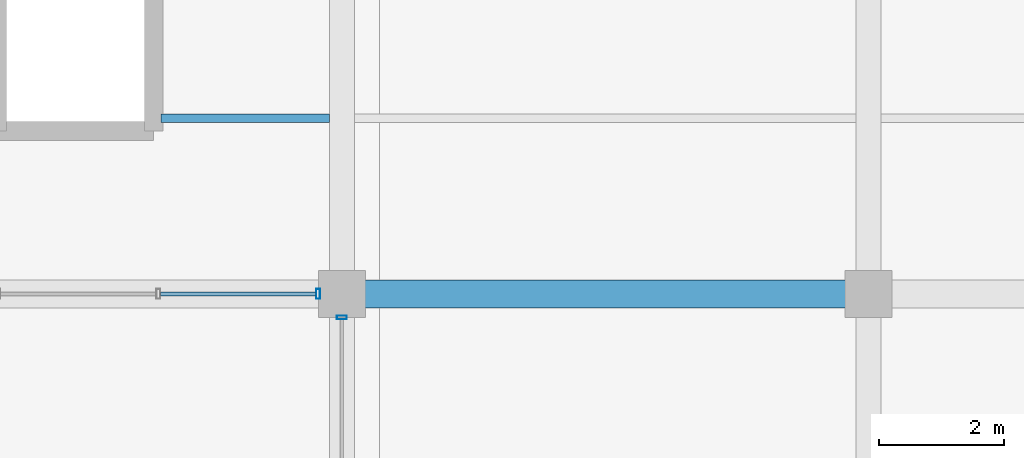
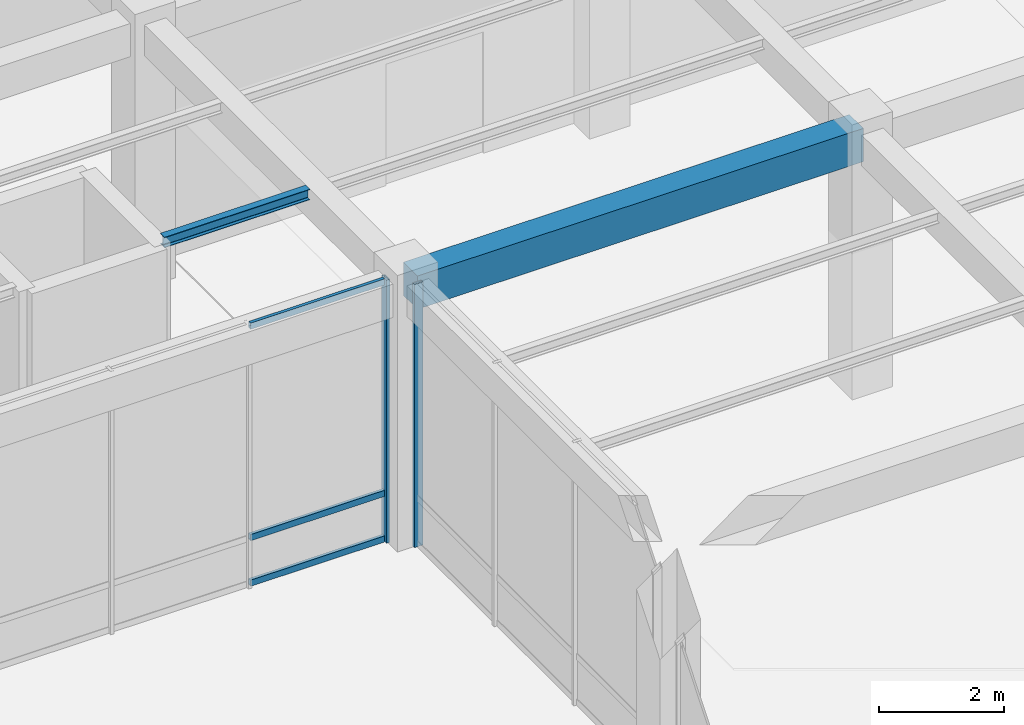
# One storey, part 22 of 157: 5 members, 2 beams, 2 elements without a shape of their own.
"""IFC4 building model written with IfcOpenShell, lengths in metres."""

from ifc_helpers import new_model, si_unit, direction, frame, origin, origin_2d, place, context, subcontext, project, spatial, rectangle, hollow_rectangle, i_section, extrude, material, material_profile, profile_set, type_object, element, aggregate, save


model = new_model("IFC4")

# Units and contexts
model_context = context("Model", 3, precision=1e-05, world=origin(), true_north=direction((0.0, 1.0)))
body_context = subcontext(model_context, "Body", "Model", "MODEL_VIEW")
ifc_project = project(units=[si_unit("LENGTHUNIT", "METRE"), si_unit("AREAUNIT", "SQUARE_METRE"), si_unit("VOLUMEUNIT", "CUBIC_METRE"), si_unit("PLANEANGLEUNIT", "RADIAN"), si_unit("MASSUNIT", "GRAM", prefix="KILO"), si_unit("THERMODYNAMICTEMPERATUREUNIT", "KELVIN"), si_unit("POWERUNIT", "WATT")], contexts=[model_context])

# Site, building, storey
site_placement = place(None, origin())
site = spatial("IfcSite", under=ifc_project, at=site_placement, CompositionType="ELEMENT")
building_placement = place(site_placement, origin())
building = spatial("IfcBuilding", under=site, at=building_placement, Name="Darbajah Civic Hall", CompositionType="ELEMENT")
storey_placement = place(building_placement, origin())
storey = spatial("IfcBuildingStorey", under=building, at=storey_placement, Name="L00", CompositionType="ELEMENT", Elevation=0.0)

# Curtain wall, member
ifc_material_1 = material(Name="Anodised Bronze Aluminium and Low-E Glazing", Category="aluminium")
curtain_wall_type = type_object("IfcCurtainWallType", Name="Unitised Curtain Wall CW-98 7600x5150", PredefinedType="USERDEFINED", material=ifc_material_1)
curtain_wall_1_placement = place(storey_placement, origin())
curtain_wall_1 = element("IfcCurtainWall", 1, at=curtain_wall_1_placement, inside=storey, type_object=curtain_wall_type, Name="L00 unitised curtain wall CW-V5-L00-S2-B3", ObjectType="UNITISED CURTAIN WALL", PredefinedType="USERDEFINED")
ifc_material_2 = material(Name="Anodised Bronze Aluminium", Category="aluminium")
ifc_material_profile_1 = material_profile(ifc_material_2, hollow_rectangle(XDim=0.06005859375, YDim=0.159912109375, WallThickness=0.00341796875, at=origin_2d()), Name="ALU MULLION 60x160")
ifc_profile_set_1 = profile_set([ifc_material_profile_1], Name="Anodised Bronze Aluminium")
member_type_1 = type_object("IfcMemberType", Name="ALU MULLION 60x160", PredefinedType="MULLION", material=ifc_profile_set_1)
member_1_placement = place(storey_placement, frame((50.02294921875, 16.800048828125, 0.0), z_axis=(0.0, 0.0, 1.0), x_axis=(1.0, 0.0, 0.0)))
member_1 = element("IfcMember", 2, at=member_1_placement, type_object=member_type_1, Name="CW-V5-L00-S2-B3 mullion 4", PredefinedType="MULLION", context=body_context, shape_type="SweptSolid", body=[
    extrude(hollow_rectangle(XDim=0.06005859375, YDim=0.159912109375, WallThickness=0.00341796875, at=origin_2d()), origin(), (0.0, 0.0, 1.0), 5.139892578125),
])

curtain_wall_2_placement = place(storey_placement, origin())
curtain_wall_2 = element("IfcCurtainWall", 3, at=curtain_wall_2_placement, inside=storey, type_object=curtain_wall_type, Name="L00 unitised curtain wall CW-V5-L00-S3-B0", ObjectType="UNITISED CURTAIN WALL", PredefinedType="USERDEFINED")
member_2_placement = place(storey_placement, frame((50.39990234375, 16.423095703125, 0.0), z_axis=(0.0, 0.0, 1.0), x_axis=(0.0, -1.0, 0.0)))
member_2 = element("IfcMember", 4, at=member_2_placement, type_object=member_type_1, Name="CW-V5-L00-S3-B0 mullion 1", PredefinedType="MULLION", context=body_context, shape_type="SweptSolid", body=[
    extrude(hollow_rectangle(XDim=0.06005859375, YDim=0.159912109375, WallThickness=0.00341796875, at=origin_2d()), origin(), (0.0, 0.0, 1.0), 5.139892578125),
])
aggregate(curtain_wall_2, [member_2])

# Member
ifc_material_profile_2 = material_profile(ifc_material_2, hollow_rectangle(XDim=0.06005859375, YDim=0.1201171875, WallThickness=0.003173828125, at=origin_2d()), Name="ALU TRANSOM 60x120")
ifc_profile_set_2 = profile_set([ifc_material_profile_2], Name="Anodised Bronze Aluminium")
member_type_2 = type_object("IfcMemberType", Name="ALU TRANSOM 60x120", PredefinedType="USERDEFINED", material=ifc_profile_set_2)
member_3_placement = place(storey_placement, frame((47.50927734375, 16.800048828125, 0.06005859375), z_axis=(1.0, 0.0, 0.0), x_axis=(0.0, 1.0, 0.0)))
member_3 = element("IfcMember", 5, at=member_3_placement, type_object=member_type_2, Name="CW-V5-L00-S2-B3 transom 3.1", ObjectType="TRANSOM", PredefinedType="USERDEFINED", context=body_context, shape_type="SweptSolid", body=[
    extrude(hollow_rectangle(XDim=0.06005859375, YDim=0.1201171875, WallThickness=0.003173828125, at=origin_2d()), origin(), (0.0, 0.0, 1.0), 2.478759765625),
])

member_4_placement = place(storey_placement, frame((47.50927734375, 16.800048828125, 0.949951171875), z_axis=(1.0, 0.0, 0.0), x_axis=(0.0, 1.0, 0.0)))
member_4 = element("IfcMember", 6, at=member_4_placement, type_object=member_type_2, Name="CW-V5-L00-S2-B3 transom 3.2", ObjectType="TRANSOM", PredefinedType="USERDEFINED", context=body_context, shape_type="SweptSolid", body=[
    extrude(hollow_rectangle(XDim=0.06005859375, YDim=0.1201171875, WallThickness=0.003173828125, at=origin_2d()), origin(), (0.0, 0.0, 1.0), 2.478759765625),
])

member_5_placement = place(storey_placement, frame((47.50927734375, 16.800048828125, 5.080078125), z_axis=(1.0, 0.0, 0.0), x_axis=(0.0, 1.0, 0.0)))
member_5 = element("IfcMember", 7, at=member_5_placement, type_object=member_type_2, Name="CW-V5-L00-S2-B3 transom 3.3", ObjectType="TRANSOM", PredefinedType="USERDEFINED", context=body_context, shape_type="SweptSolid", body=[
    extrude(hollow_rectangle(XDim=0.06005859375, YDim=0.1201171875, WallThickness=0.003173828125, at=origin_2d()), origin(), (0.0, 0.0, 1.0), 2.478759765625),
])

aggregate(curtain_wall_1, [member_1, member_3, member_4, member_5])

# Beams
ifc_material_3 = material(Name="Concrete C45/55", Category="concrete")
ifc_material_profile_3 = material_profile(ifc_material_3, rectangle(XDim=0.449951171875, YDim=0.64990234375, at=origin_2d()), Name="RC BEAM 450x650")
ifc_profile_set_3 = profile_set([ifc_material_profile_3], Name="Concrete C45/55")
beam_type_1 = type_object("IfcBeamType", Name="RC BEAM 450x650", PredefinedType="BEAM", material=ifc_profile_set_3)
beam_1_placement = place(storey_placement, frame((50.47998046875, 16.800048828125, 4.81494140625), z_axis=(1.0, 0.0, 0.0), x_axis=(0.0, 1.0, 0.0)))
element("IfcBeam", 8, at=beam_1_placement, inside=storey, type_object=beam_type_1, Name="L00 beam BM-4565", PredefinedType="BEAM", context=body_context, shape_type="SweptSolid", body=[
    extrude(rectangle(XDim=0.449951171875, YDim=0.64990234375, at=origin_2d()), origin(), (0.0, 0.0, 1.0), 8.239990234375),
])
ifc_material_4 = material(Name="Steel S355JR", Category="steel")
ifc_material_profile_4 = material_profile(ifc_material_4, i_section(OverallWidth=0.1337890625, OverallDepth=0.206787109375, WebThickness=0.00634765625, FlangeThickness=0.009521484375, FilletRadius=0.007568359375, at=origin_2d()), Name="UB 203x133x30")
ifc_profile_set_4 = profile_set([ifc_material_profile_4], Name="Steel S355JR")
beam_type_2 = type_object("IfcBeamType", Name="UB 203x133x30", PredefinedType="JOIST", material=ifc_profile_set_4)
beam_2_placement = place(storey_placement, frame((47.52001953125, 19.60009765625, 5.03662109375), z_axis=(1.0, 0.0, 0.0), x_axis=(0.0, 1.0, 0.0)))
element("IfcBeam", 9, at=beam_2_placement, inside=storey, type_object=beam_type_2, Name="L00 beam SJ-203", PredefinedType="JOIST", context=body_context, shape_type="SweptSolid", body=[
    extrude(i_section(OverallWidth=0.1337890625, OverallDepth=0.206787109375, WebThickness=0.00634765625, FlangeThickness=0.009521484375, FilletRadius=0.007568359375, at=origin_2d()), origin(), (0.0, 0.0, 1.0), 2.679931640625),
])

save(model, "model.ifc")
